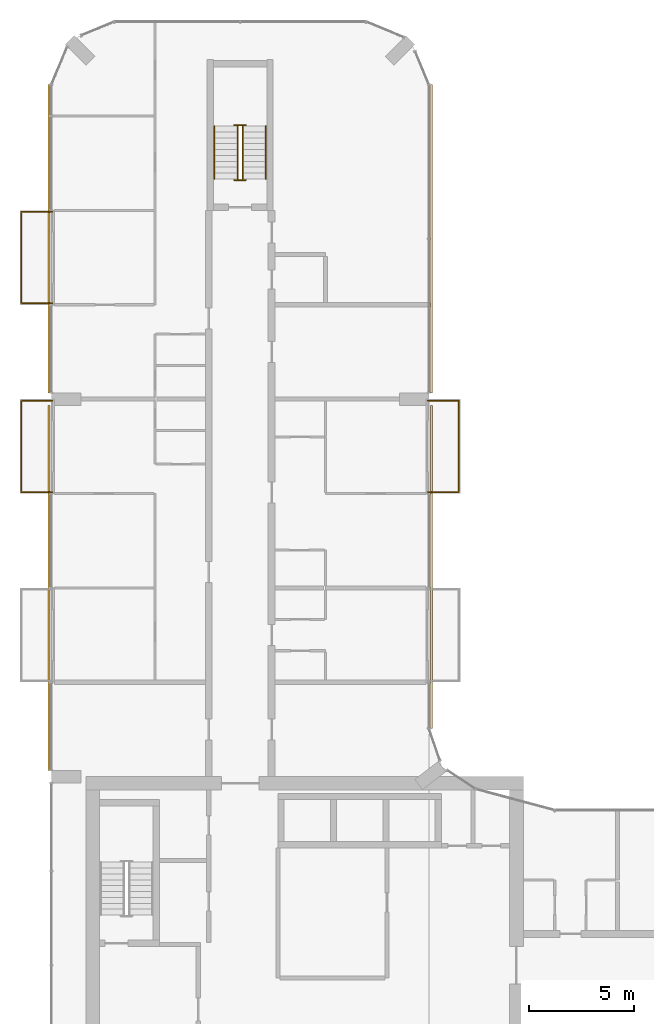
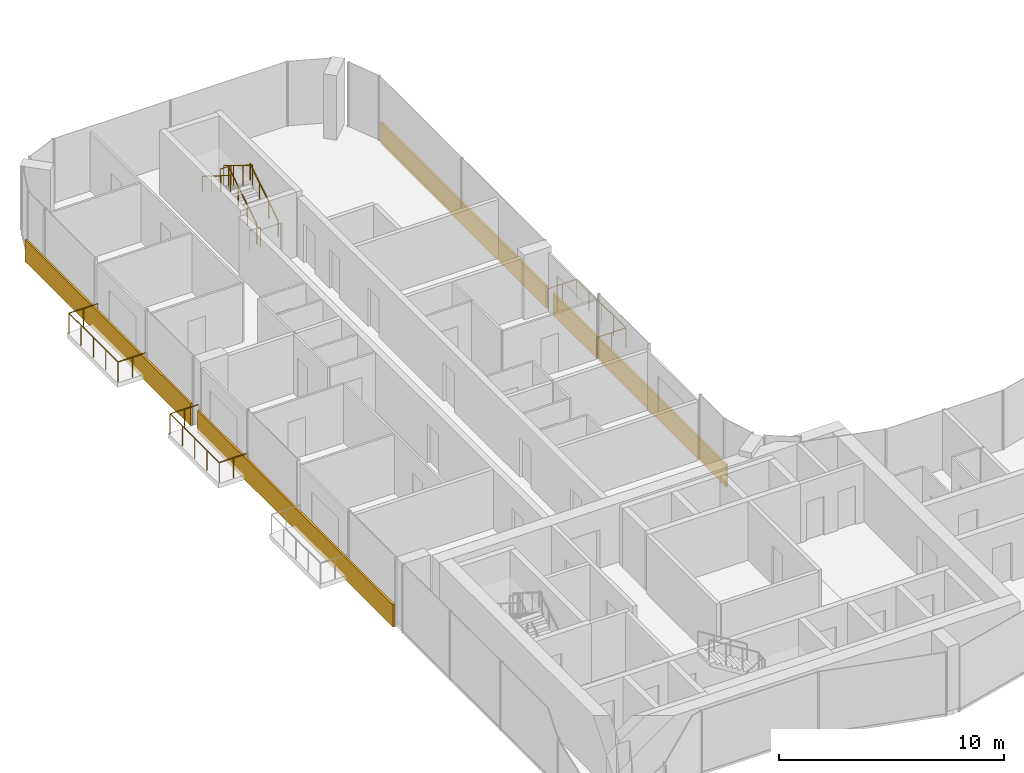
# One storey, part 18 of 19: 9 railings, 4 coverings.
"""IFC4 building model written with IfcOpenShell, lengths in metres."""

from ifc_helpers import new_model, si_unit, direction, frame, origin, origin_2d, place, context, subcontext, project, spatial, rectangle, circle, extrude, material, layer, layer_set, type_object, element, save


model = new_model("IFC4")

# Units and contexts
model_context = context("Model", 3, precision=1e-05, world=origin(), true_north=direction((0.0, 1.0)))
body_context = subcontext(model_context, "Body", "Model", "MODEL_VIEW")
ifc_project = project(units=[si_unit("LENGTHUNIT", "METRE"), si_unit("AREAUNIT", "SQUARE_METRE"), si_unit("VOLUMEUNIT", "CUBIC_METRE"), si_unit("PLANEANGLEUNIT", "RADIAN"), si_unit("MASSUNIT", "GRAM", prefix="KILO")], contexts=[model_context])

# Site, building, storey
site_placement = place(None, origin())
site = spatial("IfcSite", under=ifc_project, at=site_placement, CompositionType="ELEMENT")
building_placement = place(site_placement, origin())
building = spatial("IfcBuilding", under=site, at=building_placement, Name="Plateau Cross Towers", CompositionType="ELEMENT")
storey_placement = place(building_placement, frame((0.0, 0.0, 120.300048828125)))
storey = spatial("IfcBuildingStorey", under=building, at=storey_placement, Name="L31", CompositionType="ELEMENT", Elevation=120.300048828125)

# Railings
ifc_material_1 = material(Name="Stainless steel and toughened glass", Category="steel")
railing_type_1 = type_object("IfcRailingType", Name="Glass balustrade guard 1100", PredefinedType="GUARDRAIL", material=ifc_material_1)
for number, where, name in (
    (1, (0.050048828125, 31.570068359375, 0.0), "Guard guard1"),
    (2, (0.050048828125, 40.570068359375, 0.0), "Guard guard1"),
):
    element("IfcRailing", number, at=place(storey_placement, frame(where)), inside=storey, type_object=railing_type_1, Name=name, PredefinedType="GUARDRAIL", context=body_context, shape_type="SweptSolid", body=[
        extrude(circle(Radius=0.02392578125, at=origin_2d()), frame((0.0, 0.0, 1.076171875), z_axis=(-1.0, 0.0, 0.0), x_axis=(0.0, -1.0, 0.0)), (0.0, 0.0, 1.0), 1.47998046875),
        extrude(circle(Radius=0.02392578125, at=origin_2d()), frame((-1.47998046875, 0.0, 1.076171875), z_axis=(0.0, 1.0, 0.0), x_axis=(-1.0, 0.0, 0.0)), (0.0, 0.0, 1.0), 4.35986328125),
        extrude(circle(Radius=0.02392578125, at=origin_2d()), frame((-1.47998046875, 4.35986328125, 1.076171875), z_axis=(1.0, 0.0, 0.0), x_axis=(0.0, 1.0, 0.0)), (0.0, 0.0, 1.0), 1.47998046875),
        extrude(circle(Radius=0.02099609375, at=origin_2d()), origin(), (0.0, 0.0, 1.0), 1.052001953125),
        extrude(circle(Radius=0.02099609375, at=origin_2d()), frame((-0.739990234375, 0.0, 0.0)), (0.0, 0.0, 1.0), 1.052001953125),
        extrude(circle(Radius=0.02099609375, at=origin_2d()), frame((-1.47998046875, 0.0, 0.0)), (0.0, 0.0, 1.0), 1.052001953125),
        extrude(circle(Radius=0.02099609375, at=origin_2d()), frame((-1.47998046875, 1.08984375, 0.0)), (0.0, 0.0, 1.0), 1.052001953125),
        extrude(circle(Radius=0.02099609375, at=origin_2d()), frame((-1.47998046875, 2.179931640625, 0.0)), (0.0, 0.0, 1.0), 1.052001953125),
        extrude(circle(Radius=0.02099609375, at=origin_2d()), frame((-1.47998046875, 3.27001953125, 0.0)), (0.0, 0.0, 1.0), 1.052001953125),
        extrude(circle(Radius=0.02099609375, at=origin_2d()), frame((-1.47998046875, 4.35986328125, 0.0)), (0.0, 0.0, 1.0), 1.052001953125),
        extrude(circle(Radius=0.02099609375, at=origin_2d()), frame((-0.739990234375, 4.35986328125, 0.0)), (0.0, 0.0, 1.0), 1.052001953125),
        extrude(circle(Radius=0.02099609375, at=origin_2d()), frame((0.0, 4.35986328125, 0.0)), (0.0, 0.0, 1.0), 1.052001953125),
    ])
railing_1_placement = place(storey_placement, frame((17.949951171875, 35.929931640625, 0.0)))
element("IfcRailing", 3, at=railing_1_placement, inside=storey, type_object=railing_type_1, Name="Guard guard1", PredefinedType="GUARDRAIL", context=body_context, shape_type="SweptSolid", body=[
    extrude(circle(Radius=0.02392578125, at=origin_2d()), frame((0.0, 0.0, 1.076171875), z_axis=(1.0, 0.0, 0.0), x_axis=(0.0, 1.0, 0.0)), (0.0, 0.0, 1.0), 1.47998046875),
    extrude(circle(Radius=0.02392578125, at=origin_2d()), frame((1.47998046875, 0.0, 1.076171875), z_axis=(0.0, -1.0, 0.0), x_axis=(1.0, 0.0, 0.0)), (0.0, 0.0, 1.0), 4.35986328125),
    extrude(circle(Radius=0.02392578125, at=origin_2d()), frame((1.47998046875, -4.35986328125, 1.076171875), z_axis=(-1.0, 0.0, 0.0), x_axis=(0.0, -1.0, 0.0)), (0.0, 0.0, 1.0), 1.47998046875),
    extrude(circle(Radius=0.02099609375, at=origin_2d()), origin(), (0.0, 0.0, 1.0), 1.052001953125),
    extrude(circle(Radius=0.02099609375, at=origin_2d()), frame((0.739990234375, 0.0, 0.0)), (0.0, 0.0, 1.0), 1.052001953125),
    extrude(circle(Radius=0.02099609375, at=origin_2d()), frame((1.47998046875, 0.0, 0.0)), (0.0, 0.0, 1.0), 1.052001953125),
    extrude(circle(Radius=0.02099609375, at=origin_2d()), frame((1.47998046875, -1.08984375, 0.0)), (0.0, 0.0, 1.0), 1.052001953125),
    extrude(circle(Radius=0.02099609375, at=origin_2d()), frame((1.47998046875, -2.179931640625, 0.0)), (0.0, 0.0, 1.0), 1.052001953125),
    extrude(circle(Radius=0.02099609375, at=origin_2d()), frame((1.47998046875, -3.27001953125, 0.0)), (0.0, 0.0, 1.0), 1.052001953125),
    extrude(circle(Radius=0.02099609375, at=origin_2d()), frame((1.47998046875, -4.35986328125, 0.0)), (0.0, 0.0, 1.0), 1.052001953125),
    extrude(circle(Radius=0.02099609375, at=origin_2d()), frame((0.739990234375, -4.35986328125, 0.0)), (0.0, 0.0, 1.0), 1.052001953125),
    extrude(circle(Radius=0.02099609375, at=origin_2d()), frame((0.0, -4.35986328125, 0.0)), (0.0, 0.0, 1.0), 1.052001953125),
])
railing_type_2 = type_object("IfcRailingType", Name="RL-GUARD-1100", PredefinedType="GUARDRAIL", material=ifc_material_1)
railing_2_placement = place(storey_placement, frame((9.125, 46.5, 0.175048828125)))
element("IfcRailing", 4, at=railing_2_placement, inside=storey, type_object=railing_type_2, Name="L31 ES-N stair guard 1", PredefinedType="GUARDRAIL", context=body_context, shape_type="SweptSolid", body=[
    extrude(circle(Radius=0.02392578125, at=origin_2d()), frame((0.0, 0.0, 1.076171875), z_axis=(0.0, 0.848007534815, 0.529984170421), x_axis=(-1.0, 0.0, 0.0)), (0.0, 0.0, 1.0), 2.9716796875),
    extrude(circle(Radius=0.02099609375, at=origin_2d()), origin(), (0.0, 0.0, 1.0), 1.052001953125),
    extrude(circle(Radius=0.02099609375, at=origin_2d()), frame((0.0, 0.840087890625, 0.52490234375)), (0.0, 0.0, 1.0), 1.052001953125),
    extrude(circle(Radius=0.02099609375, at=origin_2d()), frame((0.0, 1.679931640625, 1.050048828125)), (0.0, 0.0, 1.0), 1.052001953125),
    extrude(circle(Radius=0.02099609375, at=origin_2d()), frame((0.0, 2.52001953125, 1.574951171875)), (0.0, 0.0, 1.0), 1.052001953125),
])
railing_3_placement = place(storey_placement, frame((9.27490234375, 49.070068359375, 1.75)))
element("IfcRailing", 5, at=railing_3_placement, inside=storey, type_object=railing_type_2, Name="L31 ES-N stair guard 2", PredefinedType="GUARDRAIL", context=body_context, shape_type="SweptSolid", body=[
    extrude(circle(Radius=0.02392578125, at=origin_2d()), frame((0.0, 0.0, 1.076171875), z_axis=(-1.0, 0.0, 0.0), x_axis=(0.0, -1.0, 0.0)), (0.0, 0.0, 1.0), 0.5498046875),
    extrude(circle(Radius=0.02099609375, at=origin_2d()), origin(), (0.0, 0.0, 1.0), 1.052001953125),
    extrude(circle(Radius=0.02099609375, at=origin_2d()), frame((-0.5498046875, 0.0, 0.0)), (0.0, 0.0, 1.0), 1.052001953125),
])
railing_4_placement = place(storey_placement, frame((8.875, 49.02001953125, 1.925048828125)))
element("IfcRailing", 6, at=railing_4_placement, inside=storey, type_object=railing_type_2, Name="L31 ES-N stair guard 3", PredefinedType="GUARDRAIL", context=body_context, shape_type="SweptSolid", body=[
    extrude(circle(Radius=0.02392578125, at=origin_2d()), frame((0.0, 0.0, 1.076171875), z_axis=(0.0, -0.852638500773, 0.522501279423), x_axis=(1.0, 0.0, 0.0)), (0.0, 0.0, 1.0), 3.01416015625),
    extrude(circle(Radius=0.02099609375, at=origin_2d()), origin(), (0.0, 0.0, 1.0), 1.052001953125),
    extrude(circle(Radius=0.02099609375, at=origin_2d()), frame((0.0, -0.856689453125, 0.52490234375)), (0.0, 0.0, 1.0), 1.052001953125),
    extrude(circle(Radius=0.02099609375, at=origin_2d()), frame((0.0, -1.71337890625, 1.050048828125)), (0.0, 0.0, 1.0), 1.052001953125),
    extrude(circle(Radius=0.02099609375, at=origin_2d()), frame((0.0, -2.570068359375, 1.574951171875)), (0.0, 0.0, 1.0), 1.052001953125),
])
railing_5_placement = place(storey_placement, frame((9.27490234375, 46.449951171875, 0.0)))
element("IfcRailing", 7, at=railing_5_placement, inside=storey, type_object=railing_type_2, Name="L31 ES-N stair guard 4", PredefinedType="GUARDRAIL", context=body_context, shape_type="SweptSolid", body=[
    extrude(circle(Radius=0.02392578125, at=origin_2d()), frame((0.0, 0.0, 1.076171875), z_axis=(-1.0, 0.0, 0.0), x_axis=(0.0, -1.0, 0.0)), (0.0, 0.0, 1.0), 0.5498046875),
    extrude(circle(Radius=0.02099609375, at=origin_2d()), origin(), (0.0, 0.0, 1.0), 1.052001953125),
    extrude(circle(Radius=0.02099609375, at=origin_2d()), frame((-0.5498046875, 0.0, 0.0)), (0.0, 0.0, 1.0), 1.052001953125),
])
ifc_material_2 = material(Name="Black anodised aluminium", Category="aluminium")
railing_type_3 = type_object("IfcRailingType", Name="RL-HANDRAIL-900", PredefinedType="HANDRAIL", material=ifc_material_2)
railing_6_placement = place(storey_placement, frame((10.22509765625, 46.5, 0.175048828125)))
element("IfcRailing", 8, at=railing_6_placement, inside=storey, type_object=railing_type_3, Name="L31 ES-N stair handrail 1", PredefinedType="HANDRAIL", context=body_context, shape_type="SweptSolid", body=[
    extrude(circle(Radius=0.02392578125, at=origin_2d()), frame((0.0, 0.0, 0.8759765625), z_axis=(0.0, 0.848007534815, 0.529984170421), x_axis=(-1.0, 0.0, 0.0)), (0.0, 0.0, 1.0), 2.9716796875),
    extrude(circle(Radius=0.02099609375, at=origin_2d()), origin(), (0.0, 0.0, 1.0), 0.851806640625),
    extrude(circle(Radius=0.02099609375, at=origin_2d()), frame((0.0, 0.840087890625, 0.52490234375)), (0.0, 0.0, 1.0), 0.851806640625),
    extrude(circle(Radius=0.02099609375, at=origin_2d()), frame((0.0, 1.679931640625, 1.050048828125)), (0.0, 0.0, 1.0), 0.851806640625),
    extrude(circle(Radius=0.02099609375, at=origin_2d()), frame((0.0, 2.52001953125, 1.574951171875)), (0.0, 0.0, 1.0), 0.851806640625),
])
railing_7_placement = place(storey_placement, frame((7.77490234375, 49.02001953125, 1.925048828125)))
element("IfcRailing", 9, at=railing_7_placement, inside=storey, type_object=railing_type_3, Name="L31 ES-N stair handrail 2", PredefinedType="HANDRAIL", context=body_context, shape_type="SweptSolid", body=[
    extrude(circle(Radius=0.02392578125, at=origin_2d()), frame((0.0, 0.0, 0.8759765625), z_axis=(0.0, -0.848007534815, 0.529984170421), x_axis=(1.0, 0.0, 0.0)), (0.0, 0.0, 1.0), 2.9716796875),
    extrude(circle(Radius=0.02099609375, at=origin_2d()), origin(), (0.0, 0.0, 1.0), 0.851806640625),
    extrude(circle(Radius=0.02099609375, at=origin_2d()), frame((0.0, -0.840087890625, 0.52490234375)), (0.0, 0.0, 1.0), 0.851806640625),
    extrude(circle(Radius=0.02099609375, at=origin_2d()), frame((0.0, -1.679931640625, 1.050048828125)), (0.0, 0.0, 1.0), 0.851806640625),
    extrude(circle(Radius=0.02099609375, at=origin_2d()), frame((0.0, -2.52001953125, 1.574951171875)), (0.0, 0.0, 1.0), 0.851806640625),
])

# Coverings
ifc_material_3 = material(Name="Precast concrete cladding C40/50", Category="concrete")
ifc_layer = layer(ifc_material_3, 0.10009765625)
ifc_layer_set = layer_set([ifc_layer], Name="Precast concrete cladding C40/50")
covering_type = type_object("IfcCoveringType", Name="Spandrel band cladding 100x1200", PredefinedType="CLADDING", material=ifc_layer_set)
covering_1_placement = place(storey_placement, frame((18.1201171875, 28.001220703125, -0.25), z_axis=(0.0, 0.0, 1.0), x_axis=(0.0, 1.0, 0.0)))
element("IfcCovering", 10, at=covering_1_placement, inside=storey, type_object=covering_type, Name="Spandrel band", PredefinedType="CLADDING", context=body_context, shape_type="SweptSolid", body=[
    extrude(rectangle(XDim=15.397705078125, YDim=0.10009765625, at=origin_2d()), origin(), (0.0, 0.0, 1.0), 1.199951171875),
])
for number, where, z_axis, x_axis, name in (
    (11, (18.1201171875, 43.64990234375, -0.25), (0.0, 0.0, 1.0), (0.0, 1.0, 0.0), "Spandrel band"),
    (12, (-0.1201171875, 43.64990234375, -0.25), (0.0, 0.0, 1.0), (0.0, -1.0, 0.0), "Spandrel band"),
):
    element("IfcCovering", number, at=place(storey_placement, frame(where, z_axis=z_axis, x_axis=x_axis)), inside=storey, type_object=covering_type, Name=name, PredefinedType="CLADDING", context=body_context, shape_type="SweptSolid", body=[
        extrude(rectangle(XDim=14.699951171875, YDim=0.10009765625, at=origin_2d()), origin(), (0.0, 0.0, 1.0), 1.199951171875),
    ])
covering_2_placement = place(storey_placement, frame((-0.1201171875, 27.0, -0.25), z_axis=(0.0, 0.0, 1.0), x_axis=(0.0, -1.0, 0.0)))
element("IfcCovering", 13, at=covering_2_placement, inside=storey, type_object=covering_type, Name="Spandrel band", PredefinedType="CLADDING", context=body_context, shape_type="SweptSolid", body=[
    extrude(rectangle(XDim=17.39990234375, YDim=0.10009765625, at=origin_2d()), origin(), (0.0, 0.0, 1.0), 1.199951171875),
])

save(model, "model.ifc")
